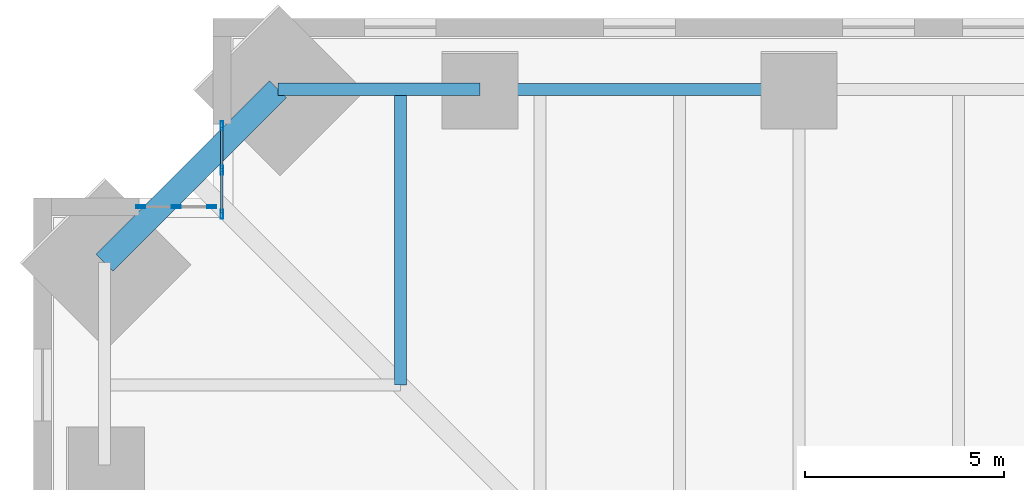
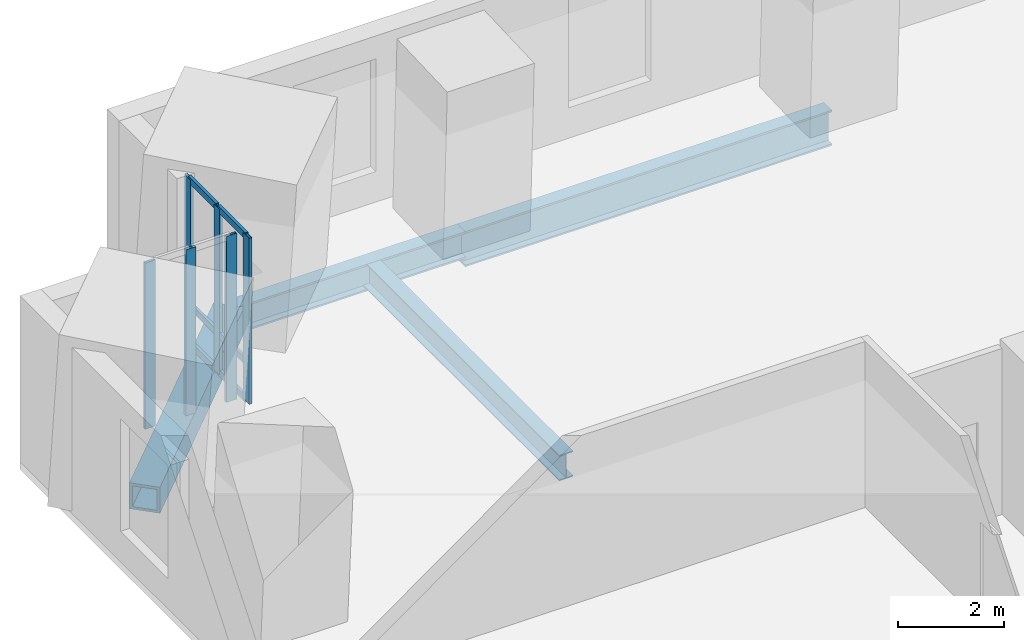
# One storey, part 6 of 16: 12 members, 4 beams, 2 elements without a shape of their own.
"""IFC4 building model written with IfcOpenShell, lengths in metres."""

import ifcopenshell
import ifcopenshell.guid

model = None  # the IFC model being written
_history = None  # IfcOwnerHistory: only IFC2X3 demands one
_inside = {}  # id of a spatial element -> (the spatial element, [elements in it])
_under = {}  # id of a project, library or spatial element -> (it, [spatial elements below it])
_declared = {}  # id of a project -> (the project, [libraries it declares])
_typed = {}  # id of a type object -> (the type object, [elements of that type])
_made_of = {}  # id of a material, layer set ... -> (it, [elements and type objects made of it])


def new_model(schema):
    """Start an empty IFC model of exactly this schema.

    Asked for "IFC4X3", IfcOpenShell would pick the latest addendum, in which some entities
    have other attributes; the version numbers below select the first issue.
    IFC2X3 requires an IfcOwnerHistory on every rooted entity: one is made here for all.
    """
    global model, _history
    if schema == "IFC4X3":
        model = ifcopenshell.file(schema_version=(4, 3, 0, 0))
    else:
        model = ifcopenshell.file(schema=schema)
    _inside.clear()
    _under.clear()
    _declared.clear()
    _typed.clear()
    _made_of.clear()
    _history = None
    if model.schema == "IFC2X3":
        org = make("IfcOrganization", Name="unknown")
        user = make(
            "IfcPersonAndOrganization",
            ThePerson=make("IfcPerson", FamilyName="unknown"),
            TheOrganization=org,
        )
        app = make(
            "IfcApplication",
            ApplicationDeveloper=org,
            Version="unknown",
            ApplicationFullName="unknown",
            ApplicationIdentifier="unknown",
        )
        _history = make(
            "IfcOwnerHistory",
            OwningUser=user,
            OwningApplication=app,
            ChangeAction="ADDED",
            CreationDate=0,
        )
    return model


def make(cls, **values):
    """One entity of the class cls with the attributes given. An attribute that is None is left unset."""
    return model.create_entity(
        cls, **{name: value for name, value in values.items() if value is not None}
    )


def rooted(cls, **values):
    """An entity with a GlobalId (a new one), such as an element, a storey or a relation."""
    return make(cls, GlobalId=ifcopenshell.guid.new(), OwnerHistory=_history, **values)


def si_unit(unit_type, name, prefix=None):
    """IfcSIUnit, for example si_unit("LENGTHUNIT", "METRE", prefix="MILLI")."""
    return make("IfcSIUnit", UnitType=unit_type, Prefix=prefix, Name=name)


def assignment(units):
    """IfcUnitAssignment: the units of a project."""
    return None if units is None else make("IfcUnitAssignment", Units=units)


def point(xyz):
    """IfcCartesianPoint."""
    return None if xyz is None else make("IfcCartesianPoint", Coordinates=xyz)


def direction(xyz):
    """IfcDirection."""
    return None if xyz is None else make("IfcDirection", DirectionRatios=xyz)


def frame(location, z_axis=None, x_axis=None):
    """IfcAxis2Placement3D, a coordinate frame: its origin and axes. An axis left out is left unset."""
    return make(
        "IfcAxis2Placement3D",
        Location=point(location),
        Axis=direction(z_axis),
        RefDirection=direction(x_axis),
    )


def frame_2d(location, x_axis=None):
    """IfcAxis2Placement2D, a coordinate frame in the plane: its origin and x axis."""
    return make(
        "IfcAxis2Placement2D", Location=point(location), RefDirection=direction(x_axis)
    )


def origin():
    """The frame at (0, 0, 0) with its axes left unset."""
    return frame((0.0, 0.0, 0.0))


def origin_2d():
    """The frame at (0, 0) in the plane with its x axis left unset."""
    return frame_2d((0.0, 0.0))


def place(relative_to, where):
    """IfcLocalPlacement: puts the frame where relative to a parent placement (None: the world)."""
    return make(
        "IfcLocalPlacement", PlacementRelTo=relative_to, RelativePlacement=where
    )


def context(
    kind, dimensions, precision=None, world=None, true_north=None, identifier=None
):
    """IfcGeometricRepresentationContext, for example the 3D "Model" context."""
    return make(
        "IfcGeometricRepresentationContext",
        ContextIdentifier=identifier,
        ContextType=kind,
        CoordinateSpaceDimension=dimensions,
        Precision=precision,
        WorldCoordinateSystem=world,
        TrueNorth=true_north,
    )


def subcontext(parent, identifier, kind, view, scale=None):
    """IfcGeometricRepresentationSubContext, for example "Body" below "Model"."""
    return make(
        "IfcGeometricRepresentationSubContext",
        ContextIdentifier=identifier,
        ContextType=kind,
        ParentContext=parent,
        TargetScale=scale,
        TargetView=view,
    )


def project(units=None, contexts=None):
    """IfcProject with its units and contexts."""
    return rooted(
        "IfcProject",
        Name="project",
        RepresentationContexts=contexts,
        UnitsInContext=assignment(units),
    )


def spatial(cls, under=None, at=None, **own):
    """A site, building, storey or space (cls), placed at a placement, below another one or the project."""
    s = rooted(cls, ObjectPlacement=at, **own)
    if under is not None:
        _under.setdefault(under.id(), (under, []))[1].append(s)
    return s


def profile(cls, at=None, kind="AREA", **sizes):
    """A parametric profile (cls). Its sizes go by their IFC names, for example OverallWidth=200.0."""
    return make(cls, ProfileType=kind, Position=at, **sizes)


def hollow_rectangle(**sizes):
    """IfcRectangleHollowProfileDef."""
    return profile("IfcRectangleHollowProfileDef", **sizes)


def i_section(**sizes):
    """IfcIShapeProfileDef."""
    return profile("IfcIShapeProfileDef", **sizes)


def extrude(swept, where, along, depth):
    """IfcExtrudedAreaSolid: the profile swept, set in the frame where, extruded along a direction by depth."""
    return make(
        "IfcExtrudedAreaSolid",
        SweptArea=swept,
        Position=where,
        ExtrudedDirection=direction(along),
        Depth=depth,
    )


def shape(context_of_items, identifier, shape_type, items):
    """IfcShapeRepresentation: the items that make up one representation, for example the "Body"."""
    return make(
        "IfcShapeRepresentation",
        ContextOfItems=context_of_items,
        RepresentationIdentifier=identifier,
        RepresentationType=shape_type,
        Items=items,
    )


def material(Name=None, Category=None):
    """IfcMaterial."""
    return make("IfcMaterial", Name=Name, Category=Category)


def material_profile(
    of_material, cross_section, Name=None, Category=None, Priority=None
):
    """IfcMaterialProfile: a cross section and its material."""
    return make(
        "IfcMaterialProfile",
        Name=Name,
        Material=of_material,
        Profile=cross_section,
        Priority=Priority,
        Category=Category,
    )


def profile_set(profiles, Name=None, composite=None):
    """IfcMaterialProfileSet."""
    return make(
        "IfcMaterialProfileSet",
        Name=Name,
        MaterialProfiles=profiles,
        CompositeProfile=composite,
    )


def made_of(thing, what):
    """Note that an element or type object is made of a material, layer set ...; save() writes the relation."""
    if what is not None:
        _made_of.setdefault(what.id(), (what, []))[1].append(thing)
    return thing


def type_object(cls, material=None, **own):
    """A type object (cls), such as IfcWallType, which elements share."""
    return made_of(rooted(cls, **own), material)


def element(
    cls,
    number,
    at=None,
    inside=None,
    cuts=None,
    type_object=None,
    material=None,
    context=None,
    identifier="Body",
    shape_type=None,
    held_by="IfcProductDefinitionShape",
    body=None,
    shapes=None,
    **own,
):
    """One element of the class cls, such as IfcWall. Its Tag is "e" and its number.

    at: its placement. inside: the storey or other place that contains it. cuts: it is an
    opening in that element (IfcRelVoidsElement). A single representation is given by context,
    identifier, shape_type and body (its items); several are given by shapes. held_by: the class
    of the entity that holds the representations. save() writes the other relations.
    """
    e = rooted(cls, Tag="e%d" % number, ObjectPlacement=at, **own)
    if body is not None:
        shapes = [shape(context, identifier, shape_type, body)]
    if shapes is not None:
        e.Representation = make(held_by, Representations=shapes)
    if inside is not None:
        _inside.setdefault(inside.id(), (inside, []))[1].append(e)
    if cuts is not None:
        rooted(
            "IfcRelVoidsElement", RelatingBuildingElement=cuts, RelatedOpeningElement=e
        )
    if type_object is not None:
        _typed.setdefault(type_object.id(), (type_object, []))[1].append(e)
    return made_of(e, material)


def aggregate(whole, parts):
    """IfcRelAggregates: a whole, such as a stair, and the parts it consists of."""
    return rooted("IfcRelAggregates", RelatingObject=whole, RelatedObjects=parts)


def save(model, path):
    """Write the relations noted so far, then the file.

    IfcRelAggregates (storeys below a building ...), IfcRelContainedInSpatialStructure (elements
    in a storey), IfcRelDefinesByType, IfcRelAssociatesMaterial and IfcRelDeclares: one each for
    every whole, place, type object, material and project.
    """
    for whole, parts in _under.values():
        aggregate(whole, parts)
    for where, things in _inside.values():
        rooted(
            "IfcRelContainedInSpatialStructure",
            RelatedElements=things,
            RelatingStructure=where,
        )
    for kind, things in _typed.values():
        rooted("IfcRelDefinesByType", RelatedObjects=things, RelatingType=kind)
    for what, things in _made_of.values():
        rooted("IfcRelAssociatesMaterial", RelatedObjects=things, RelatingMaterial=what)
    for by, libraries in _declared.values():
        rooted("IfcRelDeclares", RelatingContext=by, RelatedDefinitions=libraries)
    model.write(path)


model = new_model("IFC4")

# Units and contexts
model_context = context("Model", 3, precision=1e-05, world=origin(), true_north=direction((0.0, 1.0)))
body_context = subcontext(model_context, "Body", "Model", "MODEL_VIEW")
ifc_project = project(units=[si_unit("LENGTHUNIT", "METRE"), si_unit("AREAUNIT", "SQUARE_METRE"), si_unit("VOLUMEUNIT", "CUBIC_METRE"), si_unit("PLANEANGLEUNIT", "RADIAN"), si_unit("MASSUNIT", "GRAM", prefix="KILO")], contexts=[model_context])

# Site, building, storey
site_placement = place(None, origin())
site = spatial("IfcSite", under=ifc_project, at=site_placement, CompositionType="ELEMENT")
building_placement = place(site_placement, origin())
building = spatial("IfcBuilding", under=site, at=building_placement, Name="Peilmerk Tower", CompositionType="ELEMENT")
storey_placement = place(building_placement, frame((0.0, 0.0, 135.800048828125)))
storey = spatial("IfcBuildingStorey", under=building, at=storey_placement, Name="L27", CompositionType="ELEMENT", Elevation=135.800048828125)

# Beams
ifc_material_1 = material(Name="Steel S355", Category="steel")
ifc_material_profile_1 = material_profile(ifc_material_1, i_section(OverallWidth=0.302978515625, OverallDepth=0.81396484375, WebThickness=0.02099609375, FlangeThickness=0.0400390625, at=origin_2d()), Name="HEM 800")
ifc_profile_set_1 = profile_set([ifc_material_profile_1], Name="Steel S355")
beam_type_1 = type_object("IfcBeamType", Name="B15 HEM 800 edge beam", PredefinedType="SPANDREL", material=ifc_profile_set_1)
beam_1_placement = place(storey_placement, frame((-8.0, 25.4208984375, -0.5771484375), z_axis=(-1.0, 0.0, 0.0), x_axis=(0.0, -1.0, 0.0)))
element("IfcBeam", 1, at=beam_1_placement, inside=storey, type_object=beam_type_1, Name="Edge beam L27", PredefinedType="SPANDREL", context=body_context, shape_type="SweptSolid", body=[
    extrude(i_section(OverallWidth=0.302978515625, OverallDepth=0.81396484375, WebThickness=0.02099609375, FlangeThickness=0.0400390625, at=origin_2d()), origin(), (0.0, 0.0, 1.0), 8.0),
])
ifc_material_2 = material(Name="Steel S460", Category="steel")
ifc_material_profile_2 = material_profile(ifc_material_2, hollow_rectangle(XDim=0.60009765625, YDim=0.60009765625, WallThickness=0.06005859375, at=origin_2d()), Name="BOX 600x600x60")
ifc_profile_set_2 = profile_set([ifc_material_profile_2], Name="Steel S460")
beam_type_2 = type_object("IfcBeamType", Name="B20 BOX 600x600x60 notch beam", PredefinedType="SPANDREL", material=ifc_profile_set_2)
beam_2_placement = place(storey_placement, frame((-25.4208984375, 21.071044921875, -0.469970703125), z_axis=(0.707106781187, 0.707106781187, 0.0), x_axis=(-0.707106781187, 0.707106781187, 0.0)))
element("IfcBeam", 2, at=beam_2_placement, inside=storey, type_object=beam_type_2, Name="Notch beam L27", PredefinedType="SPANDREL", context=body_context, shape_type="SweptSolid", body=[
    extrude(hollow_rectangle(XDim=0.60009765625, YDim=0.60009765625, WallThickness=0.06005859375, at=origin_2d()), origin(), (0.0, 0.0, 1.0), 6.151611328125),
])
ifc_material_profile_3 = material_profile(ifc_material_1, i_section(OverallWidth=0.300048828125, OverallDepth=0.590087890625, WebThickness=0.012939453125, FlangeThickness=0.02490234375, at=origin_2d()), Name="HEA 600")
ifc_profile_set_3 = profile_set([ifc_material_profile_3], Name="Steel S355")
beam_type_3 = type_object("IfcBeamType", Name="B27 HEA 600 floor beam", PredefinedType="BEAM", material=ifc_profile_set_3)
beam_3_placement = place(storey_placement, frame((-18.0, 18.0, -0.465087890625), z_axis=(0.0, 1.0, 0.0), x_axis=(-1.0, 0.0, 0.0)))
element("IfcBeam", 3, at=beam_3_placement, inside=storey, type_object=beam_type_3, Name="Floor beam L27", PredefinedType="BEAM", context=body_context, shape_type="SweptSolid", body=[
    extrude(i_section(OverallWidth=0.300048828125, OverallDepth=0.590087890625, WebThickness=0.012939453125, FlangeThickness=0.02490234375, at=origin_2d()), origin(), (0.0, 0.0, 1.0), 7.4208984375),
])
ifc_material_profile_4 = material_profile(ifc_material_1, i_section(OverallWidth=0.304931640625, OverallDepth=0.6201171875, WebThickness=0.02099609375, FlangeThickness=0.0400390625, at=origin_2d()), Name="HEM 600")
ifc_profile_set_4 = profile_set([ifc_material_profile_4], Name="Steel S355")
beam_type_4 = type_object("IfcBeamType", Name="B31 HEM 600 edge beam", PredefinedType="SPANDREL", material=ifc_profile_set_4)
beam_4_placement = place(storey_placement, frame((-16.0, 25.4208984375, -0.47998046875), z_axis=(-1.0, 0.0, 0.0), x_axis=(0.0, -1.0, 0.0)))
element("IfcBeam", 4, at=beam_4_placement, inside=storey, type_object=beam_type_4, Name="Edge beam L27", PredefinedType="SPANDREL", context=body_context, shape_type="SweptSolid", body=[
    extrude(i_section(OverallWidth=0.304931640625, OverallDepth=0.6201171875, WebThickness=0.02099609375, FlangeThickness=0.0400390625, at=origin_2d()), origin(), (0.0, 0.0, 1.0), 5.071044921875),
])

# Curtain wall, members
ifc_material_3 = material(Name="Aluminium stick curtain wall", Category="aluminium")
curtain_wall_type = type_object("IfcCurtainWallType", Name="CW3 stick curtain wall, 2250 module", PredefinedType="NOTDEFINED", material=ifc_material_3)
curtain_wall_1_placement = place(storey_placement, origin())
curtain_wall_1 = element("IfcCurtainWall", 5, at=curtain_wall_1_placement, inside=storey, type_object=curtain_wall_type, Name="Curtain wall CW3 NWA L27", PredefinedType="NOTDEFINED")
ifc_material_4 = material(Name="Aluminium EN AW-6063 T6", Category="aluminium")
ifc_material_profile_5 = material_profile(ifc_material_4, hollow_rectangle(XDim=0.06494140625, YDim=0.22509765625, WallThickness=0.00390625, at=origin_2d()), Name="AL 225x65x4")
ifc_profile_set_5 = profile_set([ifc_material_profile_5], Name="Aluminium EN AW-6063 T6")
member_type_1 = type_object("IfcMemberType", Name="CW3-M AL 225x65x4 mullion", PredefinedType="MULLION", material=ifc_profile_set_5)
member_1_placement = place(storey_placement, frame((-22.47509765625, 22.282470703125, 0.0), z_axis=(0.0, 0.0, 1.0), x_axis=(-1.0, 0.0, 0.0)))
member_1 = element("IfcMember", 6, at=member_1_placement, type_object=member_type_1, Name="CW3 mullion 1", PredefinedType="MULLION", context=body_context, shape_type="SweptSolid", body=[
    extrude(hollow_rectangle(XDim=0.06494140625, YDim=0.22509765625, WallThickness=0.00390625, at=origin_2d()), origin(), (0.0, 0.0, 1.0), 3.829833984375),
])
member_2_placement = place(storey_placement, frame((-22.47509765625, 23.394287109375, 0.0), z_axis=(0.0, 0.0, 1.0), x_axis=(-1.0, 0.0, 0.0)))
member_2 = element("IfcMember", 7, at=member_2_placement, type_object=member_type_1, Name="CW3 mullion 2", PredefinedType="MULLION", context=body_context, shape_type="SweptSolid", body=[
    extrude(hollow_rectangle(XDim=0.06494140625, YDim=0.22509765625, WallThickness=0.00390625, at=origin_2d()), origin(), (0.0, 0.0, 1.0), 3.829833984375),
])
member_3_placement = place(storey_placement, frame((-22.47509765625, 24.506103515625, 0.0), z_axis=(0.0, 0.0, 1.0), x_axis=(-1.0, 0.0, 0.0)))
member_3 = element("IfcMember", 8, at=member_3_placement, type_object=member_type_1, Name="CW3 mullion 3", PredefinedType="MULLION", context=body_context, shape_type="SweptSolid", body=[
    extrude(hollow_rectangle(XDim=0.06494140625, YDim=0.22509765625, WallThickness=0.00390625, at=origin_2d()), origin(), (0.0, 0.0, 1.0), 3.829833984375),
])

curtain_wall_2_placement = place(storey_placement, origin())
curtain_wall_2 = element("IfcCurtainWall", 9, at=curtain_wall_2_placement, inside=storey, type_object=curtain_wall_type, Name="Curtain wall CW3 NWB L27", PredefinedType="NOTDEFINED")
member_4_placement = place(storey_placement, frame((-22.732421875, 22.47509765625, 0.0), z_axis=(0.0, 0.0, 1.0), x_axis=(0.0, -1.0, 0.0)))
member_4 = element("IfcMember", 10, at=member_4_placement, type_object=member_type_1, Name="CW3 mullion 1", PredefinedType="MULLION", context=body_context, shape_type="SweptSolid", body=[
    extrude(hollow_rectangle(XDim=0.06494140625, YDim=0.22509765625, WallThickness=0.00390625, at=origin_2d()), origin(), (0.0, 0.0, 1.0), 3.829833984375),
])
member_5_placement = place(storey_placement, frame((-23.619384765625, 22.47509765625, 0.0), z_axis=(0.0, 0.0, 1.0), x_axis=(0.0, -1.0, 0.0)))
member_5 = element("IfcMember", 11, at=member_5_placement, type_object=member_type_1, Name="CW3 mullion 2", PredefinedType="MULLION", context=body_context, shape_type="SweptSolid", body=[
    extrude(hollow_rectangle(XDim=0.06494140625, YDim=0.22509765625, WallThickness=0.00390625, at=origin_2d()), origin(), (0.0, 0.0, 1.0), 3.829833984375),
])
member_6_placement = place(storey_placement, frame((-24.506103515625, 22.47509765625, 0.0), z_axis=(0.0, 0.0, 1.0), x_axis=(0.0, -1.0, 0.0)))
member_6 = element("IfcMember", 12, at=member_6_placement, type_object=member_type_1, Name="CW3 mullion 3", PredefinedType="MULLION", context=body_context, shape_type="SweptSolid", body=[
    extrude(hollow_rectangle(XDim=0.06494140625, YDim=0.22509765625, WallThickness=0.00390625, at=origin_2d()), origin(), (0.0, 0.0, 1.0), 3.829833984375),
])
aggregate(curtain_wall_2, [member_4, member_5, member_6])

# Member
ifc_material_profile_6 = material_profile(ifc_material_4, hollow_rectangle(XDim=0.06494140625, YDim=0.14990234375, WallThickness=0.0029296875, at=origin_2d()), Name="AL 150x65x3")
ifc_profile_set_6 = profile_set([ifc_material_profile_6], Name="Aluminium EN AW-6063 T6")
member_type_2 = type_object("IfcMemberType", Name="CW3-T AL 150x65x3 transom", PredefinedType="USERDEFINED", material=ifc_profile_set_6)
member_7_placement = place(storey_placement, frame((-22.47509765625, 22.31494140625, 0.032470703125), z_axis=(0.0, 1.0, 0.0), x_axis=(-1.0, 0.0, 0.0)))
member_7 = element("IfcMember", 13, at=member_7_placement, type_object=member_type_2, Name="CW3 transom 1.1", ObjectType="TRANSOM", PredefinedType="USERDEFINED", context=body_context, shape_type="SweptSolid", body=[
    extrude(hollow_rectangle(XDim=0.06494140625, YDim=0.14990234375, WallThickness=0.0029296875, at=origin_2d()), origin(), (0.0, 0.0, 1.0), 1.046875),
])

member_8_placement = place(storey_placement, frame((-22.47509765625, 22.31494140625, 0.89990234375), z_axis=(0.0, 1.0, 0.0), x_axis=(-1.0, 0.0, 0.0)))
member_8 = element("IfcMember", 14, at=member_8_placement, type_object=member_type_2, Name="CW3 transom 1.2", ObjectType="TRANSOM", PredefinedType="USERDEFINED", context=body_context, shape_type="SweptSolid", body=[
    extrude(hollow_rectangle(XDim=0.06494140625, YDim=0.14990234375, WallThickness=0.0029296875, at=origin_2d()), origin(), (0.0, 0.0, 1.0), 1.046875),
])

member_9_placement = place(storey_placement, frame((-22.47509765625, 22.31494140625, 3.79736328125), z_axis=(0.0, 1.0, 0.0), x_axis=(-1.0, 0.0, 0.0)))
member_9 = element("IfcMember", 15, at=member_9_placement, type_object=member_type_2, Name="CW3 transom 1.3", ObjectType="TRANSOM", PredefinedType="USERDEFINED", context=body_context, shape_type="SweptSolid", body=[
    extrude(hollow_rectangle(XDim=0.06494140625, YDim=0.14990234375, WallThickness=0.0029296875, at=origin_2d()), origin(), (0.0, 0.0, 1.0), 1.046875),
])

member_10_placement = place(storey_placement, frame((-22.47509765625, 23.4267578125, 0.032470703125), z_axis=(0.0, 1.0, 0.0), x_axis=(-1.0, 0.0, 0.0)))
member_10 = element("IfcMember", 16, at=member_10_placement, type_object=member_type_2, Name="CW3 transom 2.1", ObjectType="TRANSOM", PredefinedType="USERDEFINED", context=body_context, shape_type="SweptSolid", body=[
    extrude(hollow_rectangle(XDim=0.06494140625, YDim=0.14990234375, WallThickness=0.0029296875, at=origin_2d()), origin(), (0.0, 0.0, 1.0), 1.046875),
])

member_11_placement = place(storey_placement, frame((-22.47509765625, 23.4267578125, 0.89990234375), z_axis=(0.0, 1.0, 0.0), x_axis=(-1.0, 0.0, 0.0)))
member_11 = element("IfcMember", 17, at=member_11_placement, type_object=member_type_2, Name="CW3 transom 2.2", ObjectType="TRANSOM", PredefinedType="USERDEFINED", context=body_context, shape_type="SweptSolid", body=[
    extrude(hollow_rectangle(XDim=0.06494140625, YDim=0.14990234375, WallThickness=0.0029296875, at=origin_2d()), origin(), (0.0, 0.0, 1.0), 1.046875),
])

member_12_placement = place(storey_placement, frame((-22.47509765625, 23.4267578125, 3.79736328125), z_axis=(0.0, 1.0, 0.0), x_axis=(-1.0, 0.0, 0.0)))
member_12 = element("IfcMember", 18, at=member_12_placement, type_object=member_type_2, Name="CW3 transom 2.3", ObjectType="TRANSOM", PredefinedType="USERDEFINED", context=body_context, shape_type="SweptSolid", body=[
    extrude(hollow_rectangle(XDim=0.06494140625, YDim=0.14990234375, WallThickness=0.0029296875, at=origin_2d()), origin(), (0.0, 0.0, 1.0), 1.046875),
])

aggregate(curtain_wall_1, [member_1, member_2, member_3, member_7, member_8, member_9, member_10, member_11, member_12])

save(model, "model.ifc")
